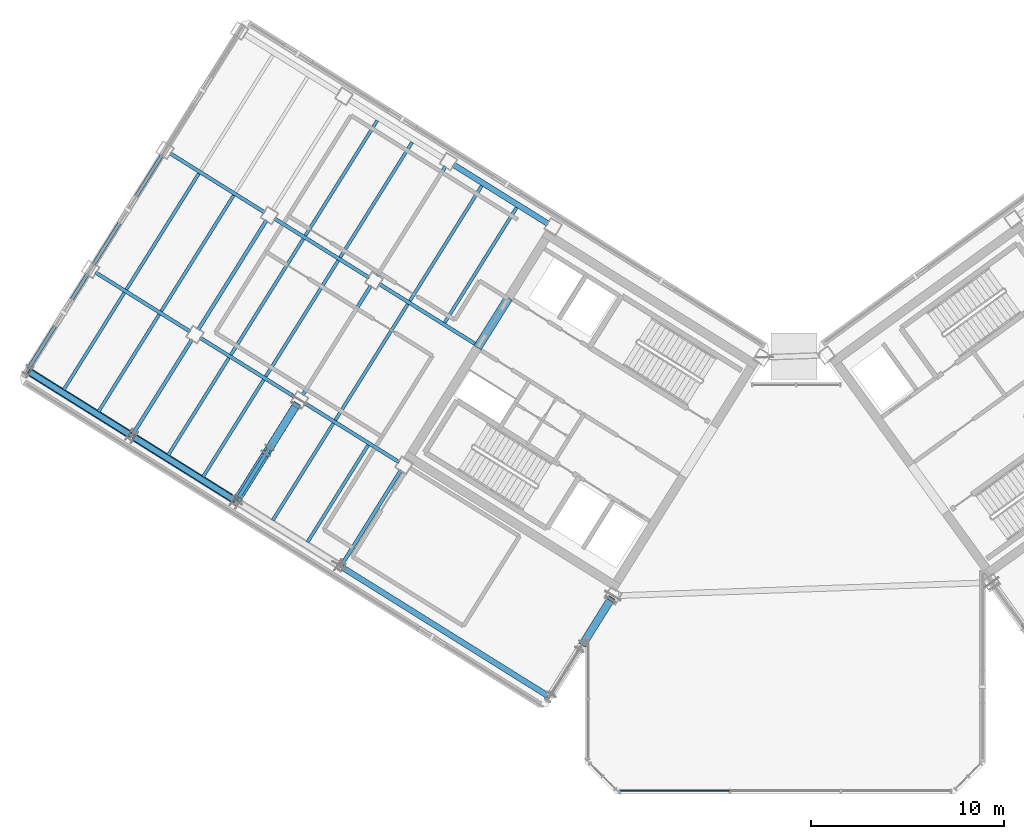
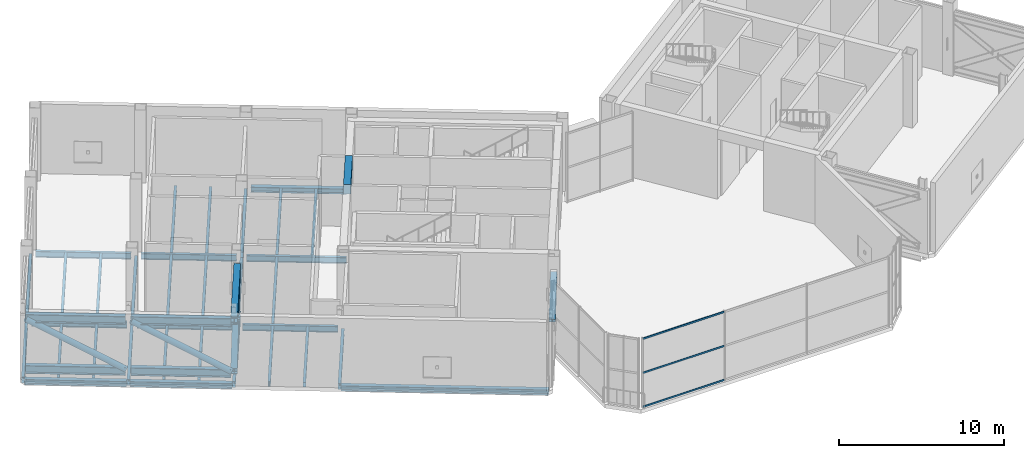
# One storey, part 7 of 32: 34 beams, 15 members, 1 element without a shape of its own.
"""IFC4 building model written with IfcOpenShell, lengths in metres."""

from ifc_helpers import new_model, si_unit, direction, frame, origin, origin_2d, place, context, subcontext, project, spatial, rectangle, hollow_rectangle, hollow_circle, i_section, extrude, source, transform, mapped, material, material_profile, profile_set, type_object, element, aggregate, save


model = new_model("IFC4")

# Units and contexts
model_context = context("Model", 3, precision=1e-05, world=origin(), true_north=direction((0.0, 1.0)))
body_context = subcontext(model_context, "Body", "Model", "MODEL_VIEW")
ifc_project = project(units=[si_unit("LENGTHUNIT", "METRE"), si_unit("AREAUNIT", "SQUARE_METRE"), si_unit("VOLUMEUNIT", "CUBIC_METRE"), si_unit("PLANEANGLEUNIT", "RADIAN"), si_unit("MASSUNIT", "GRAM", prefix="KILO")], contexts=[model_context])

# Site, building, storey
site_placement = place(None, origin())
site = spatial("IfcSite", under=ifc_project, at=site_placement, CompositionType="ELEMENT")
building_placement = place(site_placement, origin())
building = spatial("IfcBuilding", under=site, at=building_placement, Name="Tlacorven Tower", CompositionType="ELEMENT")
storey_placement = place(building_placement, frame((0.0, 0.0, 245.699951171875)))
storey = spatial("IfcBuildingStorey", under=building, at=storey_placement, Name="L62", CompositionType="ELEMENT", Elevation=245.699951171875)

# Beam
ifc_material_1 = material(Name="Concrete C60/75", Category="concrete")
ifc_material_profile_1 = material_profile(ifc_material_1, rectangle(XDim=0.449951171875, YDim=0.699951171875, at=origin_2d()), Name="RC 450X700")
ifc_profile_set_1 = profile_set([ifc_material_profile_1], Name="Concrete C60/75")
beam_type_1 = type_object("IfcBeamType", Name="BM-LNT-700", PredefinedType="LINTEL", material=ifc_profile_set_1)
shared_shape_1 = source(origin(), body_context, "Body", "SweptSolid", [
    extrude(rectangle(XDim=0.449951171875, YDim=0.699951171875, at=origin_2d()), origin(), (0.0, 0.0, 1.0), 3.0498046875),
])
beam_1_placement = place(storey_placement, frame((27.622802734375, 27.562255859375, 4.800048828125), z_axis=(-0.529926983584, -0.848043272522, 0.0), x_axis=(0.848043272522, -0.529926983584, 0.0)))
element("IfcBeam", 1, at=beam_1_placement, inside=storey, type_object=beam_type_1, Name="L62 W core coupling lintel beam E2", PredefinedType="LINTEL", context=body_context, shape_type="MappedRepresentation", body=[
    mapped(shared_shape_1, transform((0.0, 0.0, 0.0), scale=1.0)),
])

# Members
ifc_material_2 = material(Name="Steel S460M", Category="steel")
ifc_material_profile_2 = material_profile(ifc_material_2, i_section(OverallWidth=0.406005859375, OverallDepth=0.416015625, WebThickness=0.02099609375, FlangeThickness=0.032958984375, at=origin_2d()), Name="HD 400X382")
ifc_profile_set_2 = profile_set([ifc_material_profile_2], Name="Steel S460M")
member_type_1 = type_object("IfcMemberType", Name="MB-OUT-DIA", PredefinedType="BRACE", material=ifc_profile_set_2)
shared_shape_2 = source(origin(), body_context, "Body", "SweptSolid", [
    extrude(i_section(OverallWidth=0.406005859375, OverallDepth=0.416015625, WebThickness=0.02099609375, FlangeThickness=0.032958984375, at=origin_2d()), origin(), (0.0, 0.0, 1.0), 3.170654296875),
])
member_1_placement = place(storey_placement, frame((32.9375, 11.9130859375, 4.105224609375), z_axis=(-0.452436969303, -0.724083944746, -0.52057970549), x_axis=(0.848059094389, -0.529901662976, 0.0)))
element("IfcMember", 2, at=member_1_placement, inside=storey, type_object=member_type_1, Name="L62 Outrigger Truss Split Diagonal W1-2A", PredefinedType="BRACE", context=body_context, shape_type="MappedRepresentation", body=[
    mapped(shared_shape_2, transform((0.0, 0.0, 0.0), scale=1.0)),
])
shared_shape_3 = source(origin(), body_context, "Body", "SweptSolid", [
    extrude(i_section(OverallWidth=0.406005859375, OverallDepth=0.416015625, WebThickness=0.02099609375, FlangeThickness=0.032958984375, at=origin_2d()), origin(), (0.0, 0.0, 1.0), 3.245849609375),
])
member_2_placement = place(storey_placement, frame((15.021240234375, 19.47314453125, 2.2255859375), z_axis=(-0.452422434918, -0.724101542968, -0.52056785903), x_axis=(0.848072531468, -0.529880157555, 0.0)))
element("IfcMember", 3, at=member_2_placement, inside=storey, type_object=member_type_1, Name="L62 Outrigger Truss Split Diagonal W2-2B", PredefinedType="BRACE", context=body_context, shape_type="MappedRepresentation", body=[
    mapped(shared_shape_3, transform((0.0, 0.0, 0.0), scale=1.0)),
])
ifc_material_profile_3 = material_profile(ifc_material_2, i_section(OverallWidth=0.300048828125, OverallDepth=0.60009765625, WebThickness=0.015380859375, FlangeThickness=0.030029296875, at=origin_2d()), Name="HEB 600")
ifc_profile_set_3 = profile_set([ifc_material_profile_3], Name="Steel S460M")
member_type_2 = type_object("IfcMemberType", Name="MB-BLT-CHD", PredefinedType="CHORD", material=ifc_profile_set_3)
shared_shape_4 = source(origin(), body_context, "Body", "SweptSolid", [
    extrude(i_section(OverallWidth=0.300048828125, OverallDepth=0.60009765625, WebThickness=0.015380859375, FlangeThickness=0.030029296875, at=origin_2d()), origin(), (0.0, 0.0, 1.0), 6.070068359375),
])
for number, where, z_axis, x_axis, name in (
    (4, (13.338134765625, 17.0908203125, 0.449951171875), (-0.848054789024, 0.529908553255, 0.0), (-0.529908553255, -0.848054789024, 0.0), "L62 Belt Truss Chord W2-B"),
    (5, (13.338134765625, 17.0908203125, 4.22998046875), (-0.848054789024, 0.529908553255, 0.0), (-0.529908553255, -0.848054789024, 0.0), "L62 Belt Truss Chord W2-T"),
    (6, (7.91064453125, 20.482421875, 0.449951171875), (-0.848054789024, 0.529908553255, 0.0), (-0.529908553255, -0.848054789024, 0.0), "L62 Belt Truss Chord W3-B"),
    (7, (7.91064453125, 20.482421875, 4.22998046875), (-0.848054789024, 0.529908553255, 0.0), (-0.529908553255, -0.848054789024, 0.0), "L62 Belt Truss Chord W3-T"),
):
    element("IfcMember", number, at=place(storey_placement, frame(where, z_axis=z_axis, x_axis=x_axis)), inside=storey, type_object=member_type_2, Name=name, PredefinedType="CHORD", context=body_context, shape_type="MappedRepresentation", body=[
        mapped(shared_shape_4, transform((0.0, 0.0, 0.0), scale=1.0)),
    ])
ifc_material_profile_4 = material_profile(ifc_material_2, hollow_circle(Radius=0.203125, WallThickness=0.02001953125, at=origin_2d()), Name="CHS 406.4X20")
ifc_profile_set_4 = profile_set([ifc_material_profile_4], Name="Steel S460M")
member_type_3 = type_object("IfcMemberType", Name="MB-BLT-DIA", PredefinedType="BRACE", material=ifc_profile_set_4)
shared_shape_5 = source(origin(), body_context, "Body", "SweptSolid", [
    extrude(hollow_circle(Radius=0.203125, WallThickness=0.02001953125, at=origin_2d()), origin(), (0.0, 0.0, 1.0), 7.062744140625),
])
for number, where, z_axis, x_axis, name in (
    (8, (13.343017578125, 17.087890625, 0.544189453125), (-0.730193117358, 0.456284280871, 0.508549571225), (-0.529926765559, -0.848043408762, 0.0), "L62 Belt Truss Diagonal W2-1"),
    (9, (7.91552734375, 20.479248046875, 0.544189453125), (-0.730193117358, 0.456284280871, 0.508549571225), (-0.529926765559, -0.848043408762, 0.0), "L62 Belt Truss Diagonal W3-1"),
):
    element("IfcMember", number, at=place(storey_placement, frame(where, z_axis=z_axis, x_axis=x_axis)), inside=storey, type_object=member_type_3, Name=name, PredefinedType="BRACE", context=body_context, shape_type="MappedRepresentation", body=[
        mapped(shared_shape_5, transform((0.0, 0.0, 0.0), scale=1.0)),
    ])

# Beams
ifc_material_3 = material(Name="Steel S355J2", Category="steel")
ifc_material_profile_5 = material_profile(ifc_material_3, i_section(OverallWidth=0.300048828125, OverallDepth=0.389892578125, WebThickness=0.010986328125, FlangeThickness=0.01904296875, at=origin_2d()), Name="HEA 400")
ifc_profile_set_5 = profile_set([ifc_material_profile_5], Name="Steel S355J2")
beam_type_2 = type_object("IfcBeamType", Name="BM-SPN-400", PredefinedType="SPANDREL", material=ifc_profile_set_5)
shared_shape_6 = source(origin(), body_context, "Body", "SweptSolid", [
    extrude(i_section(OverallWidth=0.300048828125, OverallDepth=0.389892578125, WebThickness=0.010986328125, FlangeThickness=0.01904296875, at=origin_2d()), origin(), (0.0, 0.0, 1.0), 12.599853515625),
])
beam_2_placement = place(storey_placement, frame((29.67578125, 6.882080078125, -0.474853515625), z_axis=(-0.848045108756, 0.529924045043, 0.0), x_axis=(-0.529924045043, -0.848045108756, 0.0)))
element("IfcBeam", 10, at=beam_2_placement, inside=storey, type_object=beam_type_2, Name="L62 beam BM-L62-WL4-1", PredefinedType="SPANDREL", context=body_context, shape_type="MappedRepresentation", body=[
    mapped(shared_shape_6, transform((0.0, 0.0, 0.0), scale=1.0)),
])
shared_shape_7 = source(origin(), body_context, "Body", "SweptSolid", [
    extrude(i_section(OverallWidth=0.300048828125, OverallDepth=0.389892578125, WebThickness=0.010986328125, FlangeThickness=0.01904296875, at=origin_2d()), origin(), (0.0, 0.0, 1.0), 6.199951171875),
])
for number, where, z_axis, x_axis, name in (
    (11, (13.393310546875, 17.056396484375, -0.474853515625), (-0.848033697614, 0.529942306022, 0.0), (-0.529942306022, -0.848033697614, 0.0), "L62 beam BM-L62-WL4-4"),
    (12, (7.9658203125, 20.447998046875, -0.474853515625), (-0.848051394107, 0.529913986372, 0.0), (-0.529913986372, -0.848051394107, 0.0), "L62 beam BM-L62-WL4-5"),
):
    element("IfcBeam", number, at=place(storey_placement, frame(where, z_axis=z_axis, x_axis=x_axis)), inside=storey, type_object=beam_type_2, Name=name, PredefinedType="SPANDREL", context=body_context, shape_type="MappedRepresentation", body=[
        mapped(shared_shape_7, transform((0.0, 0.0, 0.0), scale=1.0)),
    ])
shared_shape_8 = source(origin(), body_context, "Body", "SweptSolid", [
    extrude(i_section(OverallWidth=0.300048828125, OverallDepth=0.389892578125, WebThickness=0.010986328125, FlangeThickness=0.01904296875, at=origin_2d()), origin(), (0.0, 0.0, 1.0), 5.800048828125),
])
beam_3_placement = place(storey_placement, frame((29.673583984375, 31.410400390625, -0.474853515625), z_axis=(-0.848052689693, 0.529911912967, 0.0), x_axis=(-0.529911912967, -0.848052689693, 0.0)))
element("IfcBeam", 13, at=beam_3_placement, inside=storey, type_object=beam_type_2, Name="L62 beam BM-L62-WL1-3", PredefinedType="SPANDREL", context=body_context, shape_type="MappedRepresentation", body=[
    mapped(shared_shape_8, transform((0.0, 0.0, 0.0), scale=1.0)),
])
ifc_material_profile_6 = material_profile(ifc_material_3, i_section(OverallWidth=0.18994140625, OverallDepth=0.449951171875, WebThickness=0.009521484375, FlangeThickness=0.0146484375, at=origin_2d()), Name="IPE 450")
ifc_profile_set_6 = profile_set([ifc_material_profile_6], Name="Steel S355J2")
beam_type_3 = type_object("IfcBeamType", Name="BM-TWR-450", PredefinedType="BEAM", material=ifc_profile_set_6)
shared_shape_9 = source(origin(), body_context, "Body", "SweptSolid", [
    extrude(i_section(OverallWidth=0.18994140625, OverallDepth=0.449951171875, WebThickness=0.009521484375, FlangeThickness=0.0146484375, at=origin_2d()), origin(), (0.0, 0.0, 1.0), 6.06005859375),
])
beam_4_placement = place(storey_placement, frame((26.025634765625, 25.081787109375, -0.5048828125), z_axis=(-0.848039041052, 0.529933755154, 0.0), x_axis=(-0.529933755154, -0.848039041052, 0.0)))
element("IfcBeam", 14, at=beam_4_placement, inside=storey, type_object=beam_type_3, Name="L62 beam BM-L62-WL2-3", PredefinedType="BEAM", context=body_context, shape_type="MappedRepresentation", body=[
    mapped(shared_shape_9, transform((0.0, 0.0, 0.0), scale=1.0)),
])
shared_shape_10 = source(origin(), body_context, "Body", "SweptSolid", [
    extrude(i_section(OverallWidth=0.18994140625, OverallDepth=0.449951171875, WebThickness=0.009521484375, FlangeThickness=0.0146484375, at=origin_2d()), origin(), (0.0, 0.0, 1.0), 5.800048828125),
])
for number, where, z_axis, x_axis, name in (
    (15, (20.377685546875, 28.611083984375, -0.5048828125), (-0.848052689693, 0.529911912967, 0.0), (-0.529911912967, -0.848052689693, 0.0), "L62 beam BM-L62-WL2-4"),
    (16, (14.9501953125, 32.00244140625, -0.5048828125), (-0.848033773154, 0.52994218514, 0.0), (-0.52994218514, -0.848033773154, 0.0), "L62 beam BM-L62-WL2-5"),
    (17, (21.936767578125, 19.02880859375, -0.5048828125), (-0.848052689693, 0.529911912967, 0.0), (-0.529911912967, -0.848052689693, 0.0), "L62 beam BM-L62-WL3-3"),
    (18, (16.50927734375, 22.42041015625, -0.5048828125), (-0.848052689693, 0.529911912967, 0.0), (-0.529911912967, -0.848052689693, 0.0), "L62 beam BM-L62-WL3-4"),
    (19, (11.081787109375, 25.811767578125, -0.5048828125), (-0.848052689693, 0.529911912967, 0.0), (-0.529911912967, -0.848052689693, 0.0), "L62 beam BM-L62-WL3-5"),
    (20, (22.0322265625, 18.615478515625, -0.5048828125), (-0.52994218514, -0.848033773154, 0.0), (0.848033773154, -0.52994218514, 0.0), "L62 beam BM-L62-WT3-2"),
    (21, (16.604736328125, 22.0068359375, -0.5048828125), (-0.52994218514, -0.848033773154, 0.0), (0.848033773154, -0.52994218514, 0.0), "L62 beam BM-L62-WT4-3"),
    (22, (11.17724609375, 25.3984375, -0.5048828125), (-0.52994218514, -0.848033773154, 0.0), (0.848033773154, -0.52994218514, 0.0), "L62 beam BM-L62-WT5-3"),
    (23, (5.74951171875, 28.789794921875, -0.5048828125), (-0.529911912967, -0.848052689693, 0.0), (0.848052689693, -0.529911912967, 0.0), "L62 beam BM-L62-WT6-3"),
):
    element("IfcBeam", number, at=place(storey_placement, frame(where, z_axis=z_axis, x_axis=x_axis)), inside=storey, type_object=beam_type_3, Name=name, PredefinedType="BEAM", context=body_context, shape_type="MappedRepresentation", body=[
        mapped(shared_shape_10, transform((0.0, 0.0, 0.0), scale=1.0)),
    ])
shared_shape_11 = source(origin(), body_context, "Body", "SweptSolid", [
    extrude(i_section(OverallWidth=0.18994140625, OverallDepth=0.449951171875, WebThickness=0.009521484375, FlangeThickness=0.0146484375, at=origin_2d()), origin(), (0.0, 0.0, 1.0), 6.699951171875),
])
for number, where, z_axis, x_axis, name in (
    (24, (24.341552734375, 34.388427734375, -0.5048828125), (-0.529930154818, -0.848041290867, 0.0), (0.848041290867, -0.529930154818, 0.0), "L62 beam BM-L62-WT4-1"),
    (25, (20.47314453125, 28.19775390625, -0.5048828125), (-0.529930154818, -0.848041290867, 0.0), (0.848041290867, -0.529930154818, 0.0), "L62 beam BM-L62-WT4-2"),
    (26, (15.045654296875, 31.589111328125, -0.5048828125), (-0.529930154818, -0.848041290867, 0.0), (0.848041290867, -0.529930154818, 0.0), "L62 beam BM-L62-WT5-2"),
    (27, (9.617919921875, 34.980712890625, -0.5048828125), (-0.529903948186, -0.848057666493, 0.0), (0.848057666493, -0.529903948186, 0.0), "L62 beam BM-L62-WT6-2"),
):
    element("IfcBeam", number, at=place(storey_placement, frame(where, z_axis=z_axis, x_axis=x_axis)), inside=storey, type_object=beam_type_3, Name=name, PredefinedType="BEAM", context=body_context, shape_type="MappedRepresentation", body=[
        mapped(shared_shape_11, transform((0.0, 0.0, 0.0), scale=1.0)),
    ])
ifc_material_profile_7 = material_profile(ifc_material_3, i_section(OverallWidth=0.169921875, OverallDepth=0.360107421875, WebThickness=0.008056640625, FlangeThickness=0.0126953125, at=origin_2d()), Name="IPE 360")
ifc_profile_set_7 = profile_set([ifc_material_profile_7], Name="Steel S355J2")
beam_type_4 = type_object("IfcBeamType", Name="BM-JST-360", PredefinedType="JOIST", material=ifc_profile_set_7)
shared_shape_12 = source(origin(), body_context, "Body", "SweptSolid", [
    extrude(i_section(OverallWidth=0.169921875, OverallDepth=0.360107421875, WebThickness=0.008056640625, FlangeThickness=0.0126953125, at=origin_2d()), origin(), (0.0, 0.0, 1.0), 7.044921875),
])
for number, where, z_axis, x_axis, name in (
    (28, (28.03662109375, 32.25048828125, -0.4599609375), (-0.529899256491, -0.848060598053, 0.0), (0.848060598053, -0.529899256491, 0.0), "L62 beam BM-L62-WJ3-1-1"),
    (29, (26.2275390625, 33.380859375, -0.4599609375), (-0.529939753148, -0.848035292917, 0.0), (0.848035292917, -0.529939753148, 0.0), "L62 beam BM-L62-WJ3-1-2"),
    (30, (22.609130859375, 35.641845703125, -0.4599609375), (-0.52991483005, -0.848050866925, 0.0), (0.848050866925, -0.52991483005, 0.0), "L62 beam BM-L62-WJ4-1-1"),
):
    element("IfcBeam", number, at=place(storey_placement, frame(where, z_axis=z_axis, x_axis=x_axis)), inside=storey, type_object=beam_type_4, Name=name, PredefinedType="JOIST", context=body_context, shape_type="MappedRepresentation", body=[
        mapped(shared_shape_12, transform((0.0, 0.0, 0.0), scale=1.0)),
    ])
shared_shape_13 = source(origin(), body_context, "Body", "SweptSolid", [
    extrude(i_section(OverallWidth=0.169921875, OverallDepth=0.360107421875, WebThickness=0.008056640625, FlangeThickness=0.0126953125, at=origin_2d()), origin(), (0.0, 0.0, 1.0), 5.945068359375),
])
for number, where, z_axis, x_axis, name in (
    (31, (20.3291015625, 19.91552734375, -0.4599609375), (-0.529914037113, -0.848051362401, 0.0), (0.848051362401, -0.529914037113, 0.0), "L62 beam BM-L62-WJ3-3-1"),
    (32, (18.519775390625, 21.046142578125, -0.4599609375), (-0.529914037113, -0.848051362401, 0.0), (0.848051362401, -0.529914037113, 0.0), "L62 beam BM-L62-WJ3-3-2"),
    (33, (14.9013671875, 23.30712890625, -0.4599609375), (-0.529884501938, -0.848069817059, 0.0), (0.848069817059, -0.529884501938, 0.0), "L62 beam BM-L62-WJ4-3-1"),
    (34, (9.473876953125, 26.698486328125, -0.4599609375), (-0.529914037113, -0.848051362401, 0.0), (0.848051362401, -0.529914037113, 0.0), "L62 beam BM-L62-WJ5-3-1"),
    (35, (7.664794921875, 27.8291015625, -0.4599609375), (-0.529914037113, -0.848051362401, 0.0), (0.848051362401, -0.529914037113, 0.0), "L62 beam BM-L62-WJ5-3-2"),
):
    element("IfcBeam", number, at=place(storey_placement, frame(where, z_axis=z_axis, x_axis=x_axis)), inside=storey, type_object=beam_type_4, Name=name, PredefinedType="JOIST", context=body_context, shape_type="MappedRepresentation", body=[
        mapped(shared_shape_13, transform((0.0, 0.0, 0.0), scale=1.0)),
    ])
shared_shape_14 = source(origin(), body_context, "Body", "SweptSolid", [
    extrude(i_section(OverallWidth=0.169921875, OverallDepth=0.360107421875, WebThickness=0.008056640625, FlangeThickness=0.0126953125, at=origin_2d()), origin(), (0.0, 0.0, 1.0), 7.10009765625),
])
for number, where, z_axis, x_axis, name in (
    (36, (22.38818359375, 27.23681640625, -0.4599609375), (-0.529915484902, -0.848050457733, 0.0), (0.848050457733, -0.529915484902, 0.0), "L62 beam BM-L62-WJ3-2-2"),
    (37, (11.533203125, 34.019775390625, -0.4599609375), (-0.529915484902, -0.848050457733, 0.0), (0.848050457733, -0.529915484902, 0.0), "L62 beam BM-L62-WJ5-2-2"),
):
    element("IfcBeam", number, at=place(storey_placement, frame(where, z_axis=z_axis, x_axis=x_axis)), inside=storey, type_object=beam_type_4, Name=name, PredefinedType="JOIST", context=body_context, shape_type="MappedRepresentation", body=[
        mapped(shared_shape_14, transform((0.0, 0.0, 0.0), scale=1.0)),
    ])
shared_shape_15 = source(origin(), body_context, "Body", "SweptSolid", [
    extrude(i_section(OverallWidth=0.169921875, OverallDepth=0.360107421875, WebThickness=0.008056640625, FlangeThickness=0.0126953125, at=origin_2d()), origin(), (0.0, 0.0, 1.0), 7.099853515625),
])
for number, where, z_axis, x_axis, name in (
    (38, (18.769775390625, 29.497802734375, -0.4599609375), (-0.529890754507, -0.848065910344, 0.0), (0.848065910344, -0.529890754507, 0.0), "L62 beam BM-L62-WJ4-2-1"),
    (39, (16.960693359375, 30.628173828125, -0.4599609375), (-0.529930937954, -0.848040801494, 0.0), (0.848040801494, -0.529930937954, 0.0), "L62 beam BM-L62-WJ4-2-2"),
    (40, (13.34228515625, 32.88916015625, -0.4599609375), (-0.529930937954, -0.848040801494, 0.0), (0.848040801494, -0.529930937954, 0.0), "L62 beam BM-L62-WJ5-2-1"),
):
    element("IfcBeam", number, at=place(storey_placement, frame(where, z_axis=z_axis, x_axis=x_axis)), inside=storey, type_object=beam_type_4, Name=name, PredefinedType="JOIST", context=body_context, shape_type="MappedRepresentation", body=[
        mapped(shared_shape_15, transform((0.0, 0.0, 0.0), scale=1.0)),
    ])
shared_shape_16 = source(origin(), body_context, "Body", "SweptSolid", [
    extrude(i_section(OverallWidth=0.169921875, OverallDepth=0.360107421875, WebThickness=0.008056640625, FlangeThickness=0.0126953125, at=origin_2d()), origin(), (0.0, 0.0, 1.0), 7.045166015625),
])
beam_5_placement = place(storey_placement, frame((20.800048828125, 36.7724609375, -0.4599609375), z_axis=(-0.529924179428, -0.848045024782, 0.0), x_axis=(0.848045024782, -0.529924179428, 0.0)))
element("IfcBeam", 41, at=beam_5_placement, inside=storey, type_object=beam_type_4, Name="L62 beam BM-L62-WJ4-1-2", PredefinedType="JOIST", context=body_context, shape_type="MappedRepresentation", body=[
    mapped(shared_shape_16, transform((0.0, 0.0, 0.0), scale=1.0)),
])
shared_shape_17 = source(origin(), body_context, "Body", "SweptSolid", [
    extrude(i_section(OverallWidth=0.169921875, OverallDepth=0.360107421875, WebThickness=0.008056640625, FlangeThickness=0.0126953125, at=origin_2d()), origin(), (0.0, 0.0, 1.0), 5.94482421875),
])
beam_6_placement = place(storey_placement, frame((13.09228515625, 24.4375, -0.4599609375), z_axis=(-0.529932492401, -0.848039830136, 0.0), x_axis=(0.848039830136, -0.529932492401, 0.0)))
element("IfcBeam", 42, at=beam_6_placement, inside=storey, type_object=beam_type_4, Name="L62 beam BM-L62-WJ4-3-2", PredefinedType="JOIST", context=body_context, shape_type="MappedRepresentation", body=[
    mapped(shared_shape_17, transform((0.0, 0.0, 0.0), scale=1.0)),
])

# Members
ifc_material_profile_8 = material_profile(ifc_material_2, i_section(OverallWidth=0.412109375, OverallDepth=0.43505859375, WebThickness=0.02490234375, FlangeThickness=0.0400390625, at=origin_2d()), Name="HD 400X463")
ifc_profile_set_8 = profile_set([ifc_material_profile_8], Name="Steel S460M")
member_type_4 = type_object("IfcMemberType", Name="MB-OUT-CHD", PredefinedType="CHORD", material=ifc_profile_set_8)
shared_shape_18 = source(origin(), body_context, "Body", "SweptSolid", [
    extrude(i_section(OverallWidth=0.412109375, OverallDepth=0.43505859375, WebThickness=0.02490234375, FlangeThickness=0.0400390625, at=origin_2d()), origin(), (0.0, 0.0, 1.0), 5.670166015625),
])
for number, where, z_axis, x_axis, name in (
    (43, (16.5703125, 21.951904296875, 0.449951171875), (-0.529937014914, -0.848037004042, 0.0), (0.848037004042, -0.529937014914, 0.0), "L62 Outrigger Truss Chord W2-B"),
    (44, (16.5703125, 21.951904296875, 4.22998046875), (-0.529937014914, -0.848037004042, 0.0), (0.848037004042, -0.529937014914, 0.0), "L62 Outrigger Truss Chord W2-T"),
):
    element("IfcMember", number, at=place(storey_placement, frame(where, z_axis=z_axis, x_axis=x_axis)), inside=storey, type_object=member_type_4, Name=name, PredefinedType="CHORD", context=body_context, shape_type="MappedRepresentation", body=[
        mapped(shared_shape_18, transform((0.0, 0.0, 0.0), scale=1.0)),
    ])
shared_shape_19 = source(origin(), body_context, "Body", "SweptSolid", [
    extrude(i_section(OverallWidth=0.406005859375, OverallDepth=0.416015625, WebThickness=0.02099609375, FlangeThickness=0.032958984375, at=origin_2d()), origin(), (0.0, 0.0, 1.0), 6.7314453125),
])
member_3_placement = place(storey_placement, frame((16.598388671875, 21.9970703125, 0.64013671875), z_axis=(-0.45245427129, -0.724108178461, 0.52053095804), x_axis=(0.848057957668, -0.529903482189, 0.0)))
element("IfcMember", 45, at=member_3_placement, inside=storey, type_object=member_type_1, Name="L62 Outrigger Truss Diagonal W2-1", PredefinedType="BRACE", context=body_context, shape_type="MappedRepresentation", body=[
    mapped(shared_shape_19, transform((0.0, 0.0, 0.0), scale=1.0)),
])
shared_shape_20 = source(origin(), body_context, "Body", "SweptSolid", [
    extrude(i_section(OverallWidth=0.406005859375, OverallDepth=0.416015625, WebThickness=0.02099609375, FlangeThickness=0.032958984375, at=origin_2d()), origin(), (0.0, 0.0, 1.0), 3.045654296875),
])
member_4_placement = place(storey_placement, frame((16.598388671875, 21.9970703125, 4.0400390625), z_axis=(-0.452430321029, -0.724096933, -0.520567417569), x_axis=(0.848066864901, -0.52988922678, 0.0)))
element("IfcMember", 46, at=member_4_placement, inside=storey, type_object=member_type_1, Name="L62 Outrigger Truss Split Diagonal W2-2A", PredefinedType="BRACE", context=body_context, shape_type="MappedRepresentation", body=[
    mapped(shared_shape_20, transform((0.0, 0.0, 0.0), scale=1.0)),
])

# Curtain wall, members
ifc_material_4 = material(Name="Dark solar low-E double glazing in aluminium frame", Category="aluminium")
curtain_wall_type = type_object("IfcCurtainWallType", Name="CW-TWR-HIGH", PredefinedType="USERDEFINED", material=ifc_material_4)
curtain_wall_placement = place(storey_placement, origin())
curtain_wall = element("IfcCurtainWall", 47, at=curtain_wall_placement, inside=storey, type_object=curtain_wall_type, Name="L62 CW-TWR-HIGH Curtain Wall 285", ObjectType="UNITISED CURTAIN WALL", PredefinedType="USERDEFINED")
ifc_material_5 = material(Name="Aluminium 6063-T6 anodised", Category="aluminium")
ifc_material_profile_9 = material_profile(ifc_material_5, hollow_rectangle(XDim=0.054931640625, YDim=0.1201171875, WallThickness=0.00341796875, at=origin_2d()), Name="ALU TRANSOM 55X120")
ifc_profile_set_9 = profile_set([ifc_material_profile_9], Name="Aluminium 6063-T6 anodised")
member_type_5 = type_object("IfcMemberType", Name="CWT-03", PredefinedType="USERDEFINED", material=ifc_profile_set_9)
shared_shape_21 = source(origin(), body_context, "Body", "SweptSolid", [
    extrude(hollow_rectangle(XDim=0.054931640625, YDim=0.1201171875, WallThickness=0.00341796875, at=origin_2d()), origin(), (0.0, 0.0, 1.0), 5.689697265625),
])
member_5_placement = place(storey_placement, frame((39.10400390625, 1.9599609375, 0.06005859375), z_axis=(-1.0, 0.0, 0.0), x_axis=(0.0, -1.0, 0.0)))
member_5 = element("IfcMember", 48, at=member_5_placement, type_object=member_type_5, Name="CW-L62-285 Transom 7", ObjectType="TRANSOM", PredefinedType="USERDEFINED", context=body_context, shape_type="MappedRepresentation", body=[
    mapped(shared_shape_21, transform((0.0, 0.0, 0.0), scale=1.0)),
])
member_6_placement = place(storey_placement, frame((39.10400390625, 1.9599609375, 2.574951171875), z_axis=(-1.0, 0.0, 0.0), x_axis=(0.0, -1.0, 0.0)))
member_6 = element("IfcMember", 49, at=member_6_placement, type_object=member_type_5, Name="CW-L62-285 Transom 8", ObjectType="TRANSOM", PredefinedType="USERDEFINED", context=body_context, shape_type="MappedRepresentation", body=[
    mapped(shared_shape_21, transform((0.0, 0.0, 0.0), scale=1.0)),
])
member_7_placement = place(storey_placement, frame((39.10400390625, 1.9599609375, 5.090087890625), z_axis=(-1.0, 0.0, 0.0), x_axis=(0.0, -1.0, 0.0)))
member_7 = element("IfcMember", 50, at=member_7_placement, type_object=member_type_5, Name="CW-L62-285 Transom 9", ObjectType="TRANSOM", PredefinedType="USERDEFINED", context=body_context, shape_type="MappedRepresentation", body=[
    mapped(shared_shape_21, transform((0.0, 0.0, 0.0), scale=1.0)),
])
aggregate(curtain_wall, [member_5, member_6, member_7])

save(model, "model.ifc")
